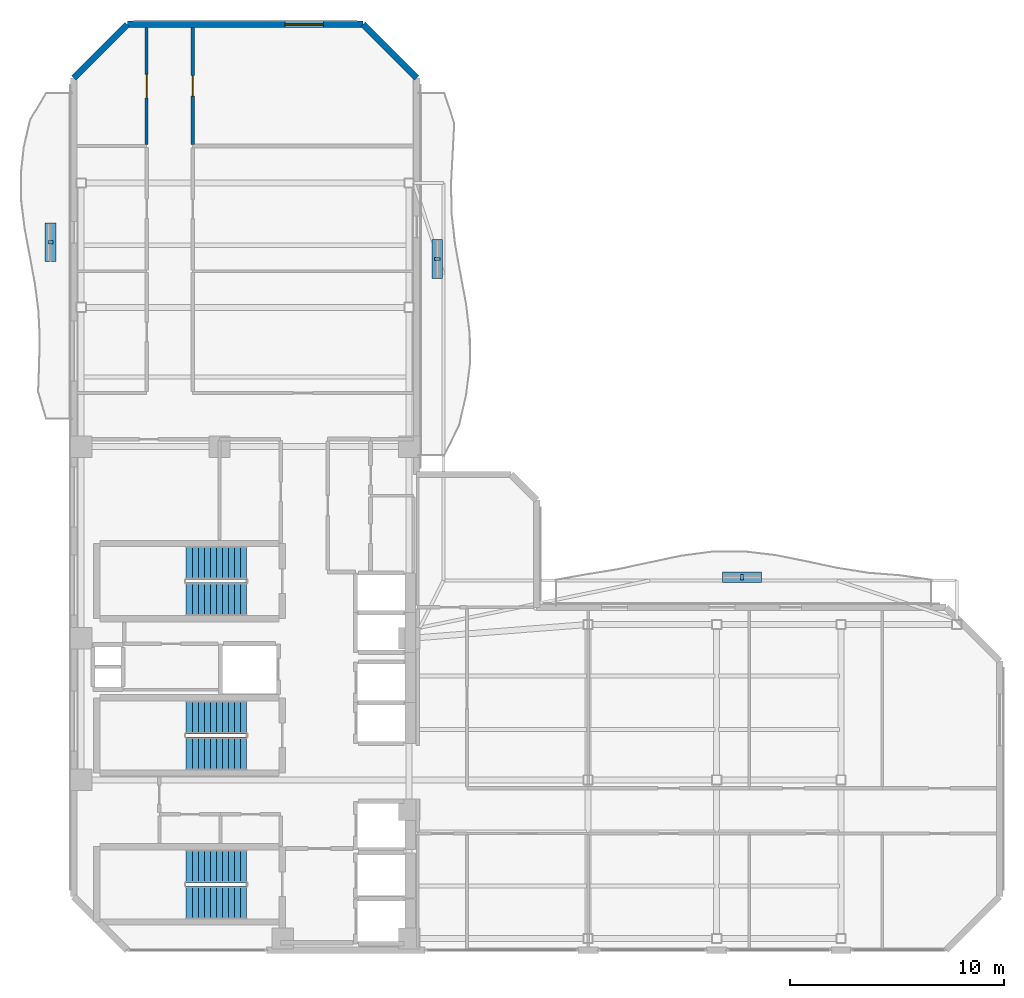
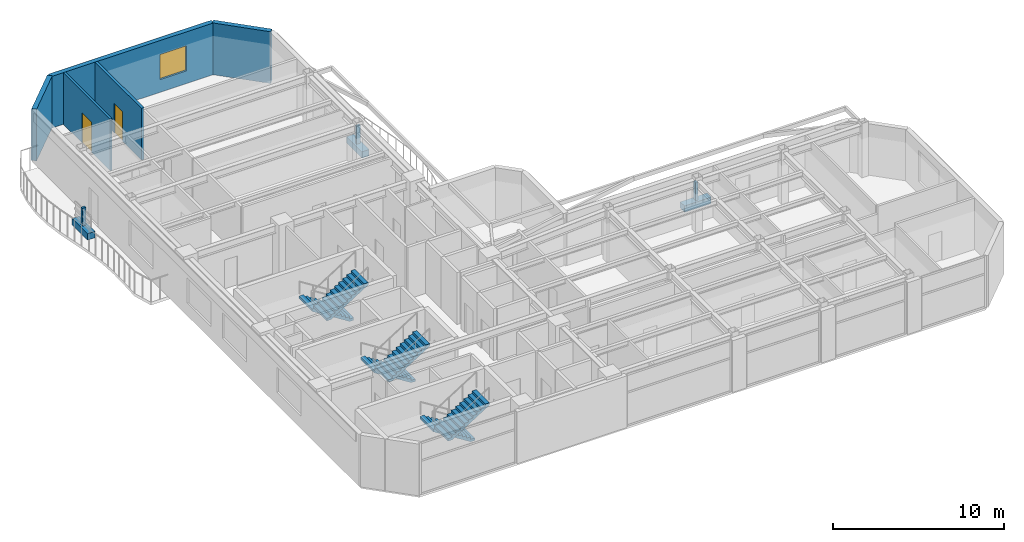
# One storey, part 12 of 16: 6 discrete accessories, 6 stair flights, 5 walls, 2 doors, 1 window, 3 openings, 3 elements without a shape of their own.
"""IFC4 building model written with IfcOpenShell, lengths in metres."""

from ifc_helpers import new_model, si_unit, direction, frame, frame_2d, origin, origin_2d, place, context, subcontext, project, spatial, polyline, rectangle, outline, extrude, material, layer, layer_set, type_object, element, fill, aggregate, save


model = new_model("IFC4")

# Units and contexts
model_context = context("Model", 3, precision=1e-05, world=origin(), true_north=direction((0.0, 1.0)))
body_context = subcontext(model_context, "Body", "Model", "MODEL_VIEW")
ifc_project = project(units=[si_unit("LENGTHUNIT", "METRE"), si_unit("AREAUNIT", "SQUARE_METRE"), si_unit("VOLUMEUNIT", "CUBIC_METRE"), si_unit("PLANEANGLEUNIT", "RADIAN"), si_unit("MASSUNIT", "GRAM", prefix="KILO")], contexts=[model_context])

# Site, building, storey
site_placement = place(None, origin())
site = spatial("IfcSite", under=ifc_project, at=site_placement, CompositionType="ELEMENT")
building_placement = place(site_placement, origin())
building = spatial("IfcBuilding", under=site, at=building_placement, Name="Mawjaban Terraces University", CompositionType="ELEMENT")
storey_placement = place(building_placement, frame((0.0, 0.0, 230.39990234375)))
storey = spatial("IfcBuildingStorey", under=building, at=storey_placement, Name="L56", CompositionType="ELEMENT", Elevation=230.39990234375)

# Wall, opening, door
ifc_material_1 = material(Name="Acoustic masonry blockwork", Category="masonry")
ifc_layer_1 = layer(ifc_material_1, 0.179931640625)
ifc_layer_set_1 = layer_set([ifc_layer_1], Name="Acoustic masonry blockwork")
wall_type_1 = type_object("IfcWallType", Name="AcousticStudioWall_180", PredefinedType="PARTITIONING", material=ifc_layer_set_1)
wall_1_placement = place(storey_placement, frame((27.550048828125, 37.60498046875, 0.0), z_axis=(0.0, 0.0, 1.0), x_axis=(0.0, 1.0, 0.0)))
wall_1 = element("IfcWall", 1, at=wall_1_placement, inside=storey, type_object=wall_type_1, Name="L56 West Shifted Academic Corridor Partition 38", PredefinedType="PARTITIONING", context=body_context, shape_type="SweptSolid", body=[
    extrude(rectangle(XDim=5.449951171875, YDim=0.179931640625, at=frame_2d((2.72509765625, 0.0))), origin(), (0.0, 0.0, 1.0), 3.690185546875),
])
opening_1_placement = place(wall_1_placement, frame((2.25, 0.0, 0.0)))
opening_1 = element("IfcOpeningElement", 2, at=opening_1_placement, cuts=wall_1, Name="Opening ID-095", PredefinedType="OPENING", context=body_context, shape_type="SweptSolid", body=[
    extrude(rectangle(XDim=0.949951171875, YDim=2.10009765625, at=frame_2d((0.47509765625, 1.050048828125))), frame((0.0, 0.099853515625, 0.0), z_axis=(0.0, -1.0, 0.0), x_axis=(1.0, 0.0, 0.0)), (0.0, 0.0, 1.0), 0.199951171875),
])
ifc_material_2 = material(Name="Powder-coated steel frame and solid acoustic timber leaf", Category="steel")
door_type_1 = type_object("IfcDoorType", Name="StudioDoor_950x2100", OperationType="NOTDEFINED", PredefinedType="DOOR", material=ifc_material_2)
door_1_placement = place(opening_1_placement, origin())
door_1 = element("IfcDoor", 3, at=door_1_placement, inside=storey, type_object=door_type_1, Name="L56 Design Studio 15 Door", OperationType="SINGLE_SWING_RIGHT", OverallHeight=2.10009765625, OverallWidth=0.949951171875, PredefinedType="DOOR", context=body_context, shape_type="SweptSolid", body=[
    extrude(rectangle(XDim=0.949951171875, YDim=2.10009765625, at=frame_2d((0.47509765625, 1.050048828125))), frame((0.0, 0.02490234375, 0.0), z_axis=(0.0, -1.0, 0.0), x_axis=(1.0, 0.0, 0.0)), (0.0, 0.0, 1.0), 0.050048828125),
])
fill(opening_1, door_1)

# Wall
ifc_material_3 = material(Name="Insulated terracotta rainscreen on concrete backup C40/50", Category="masonry")
ifc_layer_2 = layer(ifc_material_3, 0.300048828125)
ifc_layer_set_2 = layer_set([ifc_layer_2], Name="Insulated terracotta rainscreen on concrete backup C40/50")
wall_type_2 = type_object("IfcWallType", Name="ExtTerracottaWall_300", PredefinedType="SOLIDWALL", material=ifc_layer_set_2)
wall_2_placement = place(storey_placement, frame((38.0, 40.699951171875, 0.0), z_axis=(0.0, 0.0, 1.0), x_axis=(-0.707106781187, 0.707106781187, 0.0)))
element("IfcWall", 4, at=wall_2_placement, inside=storey, type_object=wall_type_2, Name="L56 Exterior Terracotta Wall 10", PredefinedType="SOLIDWALL", context=body_context, shape_type="SweptSolid", body=[
    extrude(rectangle(XDim=3.53564453125, YDim=0.300048828125, at=frame_2d((1.767822265625, 0.0))), origin(), (0.0, 0.0, 1.0), 3.690185546875),
])

# Wall, opening, window
wall_3_placement = place(storey_placement, frame((35.5, 43.199951171875, 0.0), z_axis=(0.0, 0.0, 1.0), x_axis=(-1.0, 0.0, 0.0)))
wall_3 = element("IfcWall", 5, at=wall_3_placement, inside=storey, type_object=wall_type_2, Name="L56 Exterior Terracotta Wall 11", PredefinedType="SOLIDWALL", context=body_context, shape_type="SweptSolid", body=[
    extrude(rectangle(XDim=11.0, YDim=0.300048828125, at=frame_2d((5.5, 0.0))), origin(), (0.0, 0.0, 1.0), 3.690185546875),
])
opening_2_placement = place(wall_3_placement, frame((1.85009765625, 0.0, 0.89990234375)))
opening_2 = element("IfcOpeningElement", 6, at=opening_2_placement, cuts=wall_3, Name="Opening W-07", PredefinedType="OPENING", context=body_context, shape_type="SweptSolid", body=[
    extrude(rectangle(XDim=1.800048828125, YDim=1.800048828125, at=frame_2d((0.89990234375, 0.89990234375))), frame((0.0, 0.159912109375, 0.0), z_axis=(0.0, -1.0, 0.0), x_axis=(1.0, 0.0, 0.0)), (0.0, 0.0, 1.0), 0.320068359375),
])
ifc_material_4 = material(Name="Low-E solar-control double glazing in thermally broken aluminium frame", Category="aluminium")
window_type = type_object("IfcWindowType", Name="Win_1800x1800", PartitioningType="SINGLE_PANEL", PredefinedType="WINDOW", material=ifc_material_4)
window_placement = place(opening_2_placement, origin())
window = element("IfcWindow", 7, at=window_placement, inside=storey, type_object=window_type, Name="L56 Facade Window 11.1", OverallHeight=1.800048828125, OverallWidth=1.800048828125, PartitioningType="SINGLE_PANEL", PredefinedType="WINDOW", context=body_context, shape_type="SweptSolid", body=[
    extrude(rectangle(XDim=1.800048828125, YDim=1.800048828125, at=frame_2d((0.89990234375, 0.89990234375))), frame((0.0, 0.030029296875, 0.0), z_axis=(0.0, -1.0, 0.0), x_axis=(1.0, 0.0, 0.0)), (0.0, 0.0, 1.0), 0.06005859375),
])
fill(opening_2, window)

# Wall
wall_4_placement = place(storey_placement, frame((24.5, 43.199951171875, 0.0), z_axis=(0.0, 0.0, 1.0), x_axis=(-0.707106781187, -0.707106781187, 0.0)))
element("IfcWall", 8, at=wall_4_placement, inside=storey, type_object=wall_type_2, Name="L56 Exterior Terracotta Wall 12", PredefinedType="SOLIDWALL", context=body_context, shape_type="SweptSolid", body=[
    extrude(rectangle(XDim=3.53564453125, YDim=0.300048828125, at=frame_2d((1.767822265625, 0.0))), origin(), (0.0, 0.0, 1.0), 3.690185546875),
])

# Wall, opening, door
ifc_material_5 = material(Name="Moisture-resistant gypsum board on steel stud", Category="steel")
ifc_layer_3 = layer(ifc_material_5, 0.14501953125)
ifc_layer_set_3 = layer_set([ifc_layer_3], Name="Moisture-resistant gypsum board on steel stud")
wall_type_3 = type_object("IfcWallType", Name="LabPartition_145", PredefinedType="PARTITIONING", material=ifc_layer_set_3)
wall_5_placement = place(storey_placement, frame((25.39990234375, 43.054931640625, 0.0), z_axis=(0.0, 0.0, 1.0), x_axis=(0.0, -1.0, 0.0)))
wall_5 = element("IfcWall", 9, at=wall_5_placement, inside=storey, type_object=wall_type_3, Name="L56 West Shifted Academic Corridor Partition 33", PredefinedType="PARTITIONING", context=body_context, shape_type="SweptSolid", body=[
    extrude(rectangle(XDim=5.467041015625, YDim=0.14501953125, at=frame_2d((2.7333984375, 0.0))), origin(), (0.0, 0.0, 1.0), 3.690185546875),
])
opening_3_placement = place(wall_5_placement, frame((2.18310546875, 0.0, 0.0)))
opening_3 = element("IfcOpeningElement", 10, at=opening_3_placement, cuts=wall_5, Name="Opening ID-110", PredefinedType="OPENING", context=body_context, shape_type="SweptSolid", body=[
    extrude(rectangle(XDim=1.10009765625, YDim=2.14990234375, at=frame_2d((0.550048828125, 1.074951171875))), frame((0.0, 0.08251953125, 0.0), z_axis=(0.0, -1.0, 0.0), x_axis=(1.0, 0.0, 0.0)), (0.0, 0.0, 1.0), 0.1650390625),
])
door_type_2 = type_object("IfcDoorType", Name="LabDoor_1100x2150", OperationType="NOTDEFINED", PredefinedType="DOOR", material=ifc_material_2)
door_2_placement = place(opening_3_placement, origin())
door_2 = element("IfcDoor", 11, at=door_2_placement, inside=storey, type_object=door_type_2, Name="L56 Teaching Laboratory 14 Door", OperationType="SINGLE_SWING_LEFT", OverallHeight=2.14990234375, OverallWidth=1.10009765625, PredefinedType="DOOR", context=body_context, shape_type="SweptSolid", body=[
    extrude(rectangle(XDim=1.10009765625, YDim=2.14990234375, at=frame_2d((0.550048828125, 1.074951171875))), frame((0.0, 0.02490234375, 0.0), z_axis=(0.0, -1.0, 0.0), x_axis=(1.0, 0.0, 0.0)), (0.0, 0.0, 1.0), 0.050048828125),
])
fill(opening_3, door_2)

# Stair, stair flights
ifc_material_6 = material(Name="Concrete C40/50", Category="concrete")
stair_type = type_object("IfcStairType", Name="Stair_Core1550_H39", PredefinedType="HALF_TURN_STAIR", material=ifc_material_6)
stair_1_placement = place(storey_placement, origin())
stair_1 = element("IfcStair", 12, at=stair_1_placement, inside=storey, type_object=stair_type, Name="L56 Core Exit Stair 1", PredefinedType="HALF_TURN_STAIR")
stair_flight_type = type_object("IfcStairFlightType", Name="Flight_Core1550_H39", PredefinedType="STRAIGHT", material=ifc_material_6)
stair_flight_1_placement = place(storey_placement, frame((30.050048828125, 3.925048828125, 0.0), z_axis=(0.0, 0.0, 1.0), x_axis=(-1.0, 0.0, 0.0)))
stair_flight_1 = element("IfcStairFlight", 13, at=stair_flight_1_placement, type_object=stair_flight_type, Name="ST-1 flight 1", NumberOfRisers=11, NumberOfTreads=10, PredefinedType="STRAIGHT", RiserHeight=0.177272727, TreadLength=0.28, context=body_context, shape_type="SweptSolid", body=[
    extrude(outline(polyline([(0.0, 0.0), (0.0, 0.17724609375), (0.280029296875, 0.17724609375), (0.280029296875, 0.3544921875), (0.56005859375, 0.3544921875), (0.56005859375, 0.53173828125), (0.840087890625, 0.53173828125), (0.840087890625, 0.708984375), (1.1201171875, 0.708984375), (1.1201171875, 0.886474609375), (1.39990234375, 0.886474609375), (1.39990234375, 1.063720703125), (1.679931640625, 1.063720703125), (1.679931640625, 1.240966796875), (1.9599609375, 1.240966796875), (1.9599609375, 1.418212890625), (2.239990234375, 1.418212890625), (2.239990234375, 1.595458984375), (2.52001953125, 1.595458984375), (2.52001953125, 1.772705078125), (2.800048828125, 1.772705078125), (2.800048828125, 1.949951171875), (2.800048828125, 1.59521484375), (0.2802734375, 0.0), (0.0, 0.0)])), frame((0.0, 0.77490234375, 0.0), z_axis=(0.0, -1.0, 0.0), x_axis=(1.0, 0.0, 0.0)), (0.0, 0.0, 1.0), 1.550048828125),
])
stair_flight_2_placement = place(storey_placement, frame((27.25, 2.22509765625, 1.9501953125), z_axis=(0.0, 0.0, 1.0), x_axis=(1.0, 0.0, 0.0)))
stair_flight_2 = element("IfcStairFlight", 14, at=stair_flight_2_placement, type_object=stair_flight_type, Name="ST-1 flight 2", NumberOfRisers=11, NumberOfTreads=10, PredefinedType="STRAIGHT", RiserHeight=0.177272727, TreadLength=0.28, context=body_context, shape_type="SweptSolid", body=[
    extrude(outline(polyline([(0.0, 0.0), (0.0, 0.17724609375), (0.280029296875, 0.17724609375), (0.280029296875, 0.3544921875), (0.56005859375, 0.3544921875), (0.56005859375, 0.53173828125), (0.840087890625, 0.53173828125), (0.840087890625, 0.708984375), (1.1201171875, 0.708984375), (1.1201171875, 0.886474609375), (1.39990234375, 0.886474609375), (1.39990234375, 1.063720703125), (1.679931640625, 1.063720703125), (1.679931640625, 1.240966796875), (1.9599609375, 1.240966796875), (1.9599609375, 1.418212890625), (2.239990234375, 1.418212890625), (2.239990234375, 1.595458984375), (2.52001953125, 1.595458984375), (2.52001953125, 1.772705078125), (2.800048828125, 1.772705078125), (2.800048828125, 1.949951171875), (2.800048828125, 1.59521484375), (0.2802734375, 0.0), (0.0, 0.0)])), frame((0.0, 0.77490234375, 0.0), z_axis=(0.0, -1.0, 0.0), x_axis=(1.0, 0.0, 0.0)), (0.0, 0.0, 1.0), 1.550048828125),
])
aggregate(stair_1, [stair_flight_1, stair_flight_2])

stair_2_placement = place(storey_placement, origin())
stair_2 = element("IfcStair", 15, at=stair_2_placement, inside=storey, type_object=stair_type, Name="L56 Core Exit Stair 2", PredefinedType="HALF_TURN_STAIR")
stair_flight_3_placement = place(storey_placement, frame((30.050048828125, 18.074951171875, 0.0), z_axis=(0.0, 0.0, 1.0), x_axis=(-1.0, 0.0, 0.0)))
stair_flight_3 = element("IfcStairFlight", 16, at=stair_flight_3_placement, type_object=stair_flight_type, Name="ST-2 flight 1", NumberOfRisers=11, NumberOfTreads=10, PredefinedType="STRAIGHT", RiserHeight=0.177272727, TreadLength=0.28, context=body_context, shape_type="SweptSolid", body=[
    extrude(outline(polyline([(0.0, 0.0), (0.0, 0.17724609375), (0.280029296875, 0.17724609375), (0.280029296875, 0.3544921875), (0.56005859375, 0.3544921875), (0.56005859375, 0.53173828125), (0.840087890625, 0.53173828125), (0.840087890625, 0.708984375), (1.1201171875, 0.708984375), (1.1201171875, 0.886474609375), (1.39990234375, 0.886474609375), (1.39990234375, 1.063720703125), (1.679931640625, 1.063720703125), (1.679931640625, 1.240966796875), (1.9599609375, 1.240966796875), (1.9599609375, 1.418212890625), (2.239990234375, 1.418212890625), (2.239990234375, 1.595458984375), (2.52001953125, 1.595458984375), (2.52001953125, 1.772705078125), (2.800048828125, 1.772705078125), (2.800048828125, 1.949951171875), (2.800048828125, 1.59521484375), (0.2802734375, 0.0), (0.0, 0.0)])), frame((0.0, 0.77490234375, 0.0), z_axis=(0.0, -1.0, 0.0), x_axis=(1.0, 0.0, 0.0)), (0.0, 0.0, 1.0), 1.550048828125),
])
stair_flight_4_placement = place(storey_placement, frame((27.25, 16.375, 1.9501953125), z_axis=(0.0, 0.0, 1.0), x_axis=(1.0, 0.0, 0.0)))
stair_flight_4 = element("IfcStairFlight", 17, at=stair_flight_4_placement, type_object=stair_flight_type, Name="ST-2 flight 2", NumberOfRisers=11, NumberOfTreads=10, PredefinedType="STRAIGHT", RiserHeight=0.177272727, TreadLength=0.28, context=body_context, shape_type="SweptSolid", body=[
    extrude(outline(polyline([(0.0, 0.0), (0.0, 0.17724609375), (0.280029296875, 0.17724609375), (0.280029296875, 0.3544921875), (0.56005859375, 0.3544921875), (0.56005859375, 0.53173828125), (0.840087890625, 0.53173828125), (0.840087890625, 0.708984375), (1.1201171875, 0.708984375), (1.1201171875, 0.886474609375), (1.39990234375, 0.886474609375), (1.39990234375, 1.063720703125), (1.679931640625, 1.063720703125), (1.679931640625, 1.240966796875), (1.9599609375, 1.240966796875), (1.9599609375, 1.418212890625), (2.239990234375, 1.418212890625), (2.239990234375, 1.595458984375), (2.52001953125, 1.595458984375), (2.52001953125, 1.772705078125), (2.800048828125, 1.772705078125), (2.800048828125, 1.949951171875), (2.800048828125, 1.59521484375), (0.2802734375, 0.0), (0.0, 0.0)])), frame((0.0, 0.77490234375, 0.0), z_axis=(0.0, -1.0, 0.0), x_axis=(1.0, 0.0, 0.0)), (0.0, 0.0, 1.0), 1.550048828125),
])
aggregate(stair_2, [stair_flight_3, stair_flight_4])

stair_3_placement = place(storey_placement, origin())
stair_3 = element("IfcStair", 18, at=stair_3_placement, inside=storey, type_object=stair_type, Name="L56 Core Exit Stair 3", PredefinedType="HALF_TURN_STAIR")
stair_flight_5_placement = place(storey_placement, frame((30.050048828125, 10.875, 0.0), z_axis=(0.0, 0.0, 1.0), x_axis=(-1.0, 0.0, 0.0)))
stair_flight_5 = element("IfcStairFlight", 19, at=stair_flight_5_placement, type_object=stair_flight_type, Name="ST-3 flight 1", NumberOfRisers=11, NumberOfTreads=10, PredefinedType="STRAIGHT", RiserHeight=0.177272727, TreadLength=0.28, context=body_context, shape_type="SweptSolid", body=[
    extrude(outline(polyline([(0.0, 0.0), (0.0, 0.17724609375), (0.280029296875, 0.17724609375), (0.280029296875, 0.3544921875), (0.56005859375, 0.3544921875), (0.56005859375, 0.53173828125), (0.840087890625, 0.53173828125), (0.840087890625, 0.708984375), (1.1201171875, 0.708984375), (1.1201171875, 0.886474609375), (1.39990234375, 0.886474609375), (1.39990234375, 1.063720703125), (1.679931640625, 1.063720703125), (1.679931640625, 1.240966796875), (1.9599609375, 1.240966796875), (1.9599609375, 1.418212890625), (2.239990234375, 1.418212890625), (2.239990234375, 1.595458984375), (2.52001953125, 1.595458984375), (2.52001953125, 1.772705078125), (2.800048828125, 1.772705078125), (2.800048828125, 1.949951171875), (2.800048828125, 1.59521484375), (0.2802734375, 0.0), (0.0, 0.0)])), frame((0.0, 0.77490234375, 0.0), z_axis=(0.0, -1.0, 0.0), x_axis=(1.0, 0.0, 0.0)), (0.0, 0.0, 1.0), 1.550048828125),
])
stair_flight_6_placement = place(storey_placement, frame((27.25, 9.175048828125, 1.9501953125), z_axis=(0.0, 0.0, 1.0), x_axis=(1.0, 0.0, 0.0)))
stair_flight_6 = element("IfcStairFlight", 20, at=stair_flight_6_placement, type_object=stair_flight_type, Name="ST-3 flight 2", NumberOfRisers=11, NumberOfTreads=10, PredefinedType="STRAIGHT", RiserHeight=0.177272727, TreadLength=0.28, context=body_context, shape_type="SweptSolid", body=[
    extrude(outline(polyline([(0.0, 0.0), (0.0, 0.17724609375), (0.280029296875, 0.17724609375), (0.280029296875, 0.3544921875), (0.56005859375, 0.3544921875), (0.56005859375, 0.53173828125), (0.840087890625, 0.53173828125), (0.840087890625, 0.708984375), (1.1201171875, 0.708984375), (1.1201171875, 0.886474609375), (1.39990234375, 0.886474609375), (1.39990234375, 1.063720703125), (1.679931640625, 1.063720703125), (1.679931640625, 1.240966796875), (1.9599609375, 1.240966796875), (1.9599609375, 1.418212890625), (2.239990234375, 1.418212890625), (2.239990234375, 1.595458984375), (2.52001953125, 1.595458984375), (2.52001953125, 1.772705078125), (2.800048828125, 1.772705078125), (2.800048828125, 1.949951171875), (2.800048828125, 1.59521484375), (0.2802734375, 0.0), (0.0, 0.0)])), frame((0.0, 0.77490234375, 0.0), z_axis=(0.0, -1.0, 0.0), x_axis=(1.0, 0.0, 0.0)), (0.0, 0.0, 1.0), 1.550048828125),
])
aggregate(stair_3, [stair_flight_5, stair_flight_6])

# Discrete accessories
ifc_material_7 = material(Name="Stainless steel 316L", Category="steel")
discrete_accessory_type_1 = type_object("IfcDiscreteAccessoryType", Name="FacadeScreenBracket_Steel", PredefinedType="BRACKET", material=ifc_material_7)
for number, where, z_axis, x_axis, name in (
    (21, (20.9130859375, 33.033935546875, 0.419921875), (0.0, 0.0, 1.0), (0.0, 1.0, 0.0), "L56 Balcony Screen Support Bracket west"),
    (22, (53.178955078125, 17.405029296875, 0.419921875), (0.0, 0.0, 1.0), (1.0, 0.0, 0.0), "L56 Balcony Screen Support Bracket inner_north"),
    (23, (38.958984375, 32.25390625, 0.419921875), (0.0, 0.0, 1.0), (0.0, 1.0, 0.0), "L56 Balcony Screen Support Bracket inner_east"),
):
    element("IfcDiscreteAccessory", number, at=place(storey_placement, frame(where, z_axis=z_axis, x_axis=x_axis)), inside=storey, type_object=discrete_accessory_type_1, Name=name, PredefinedType="BRACKET", context=body_context, shape_type="SweptSolid", body=[
        extrude(rectangle(XDim=0.159912109375, YDim=0.239990234375, at=origin_2d()), origin(), (0.0, 0.0, 1.0), 1.300048828125),
    ])
ifc_material_8 = material(Name="Precast architectural terracotta planter with engineered planting soil", Category="masonry")
discrete_accessory_type_2 = type_object("IfcDiscreteAccessoryType", Name="IrrigatedPlanterTrough_450", PredefinedType="USERDEFINED", material=ifc_material_8)
for number, where, z_axis, x_axis, name in (
    (24, (20.9130859375, 33.033935546875, -0.0048828125), (0.0, 0.0, 1.0), (0.0, 1.0, 0.0), "L56 Balcony Irrigated Planter west"),
    (25, (53.178955078125, 17.405029296875, -0.0048828125), (0.0, 0.0, 1.0), (1.0, 0.0, 0.0), "L56 Balcony Irrigated Planter inner_north"),
    (26, (38.958984375, 32.25390625, -0.0048828125), (0.0, 0.0, 1.0), (0.0, 1.0, 0.0), "L56 Balcony Irrigated Planter inner_east"),
):
    element("IfcDiscreteAccessory", number, at=place(storey_placement, frame(where, z_axis=z_axis, x_axis=x_axis)), inside=storey, type_object=discrete_accessory_type_2, Name=name, ObjectType="PLANTER", PredefinedType="USERDEFINED", context=body_context, shape_type="SweptSolid", body=[
        extrude(rectangle(XDim=1.800048828125, YDim=0.5, at=origin_2d()), origin(), (0.0, 0.0, 1.0), 0.449951171875),
    ])

save(model, "model.ifc")
